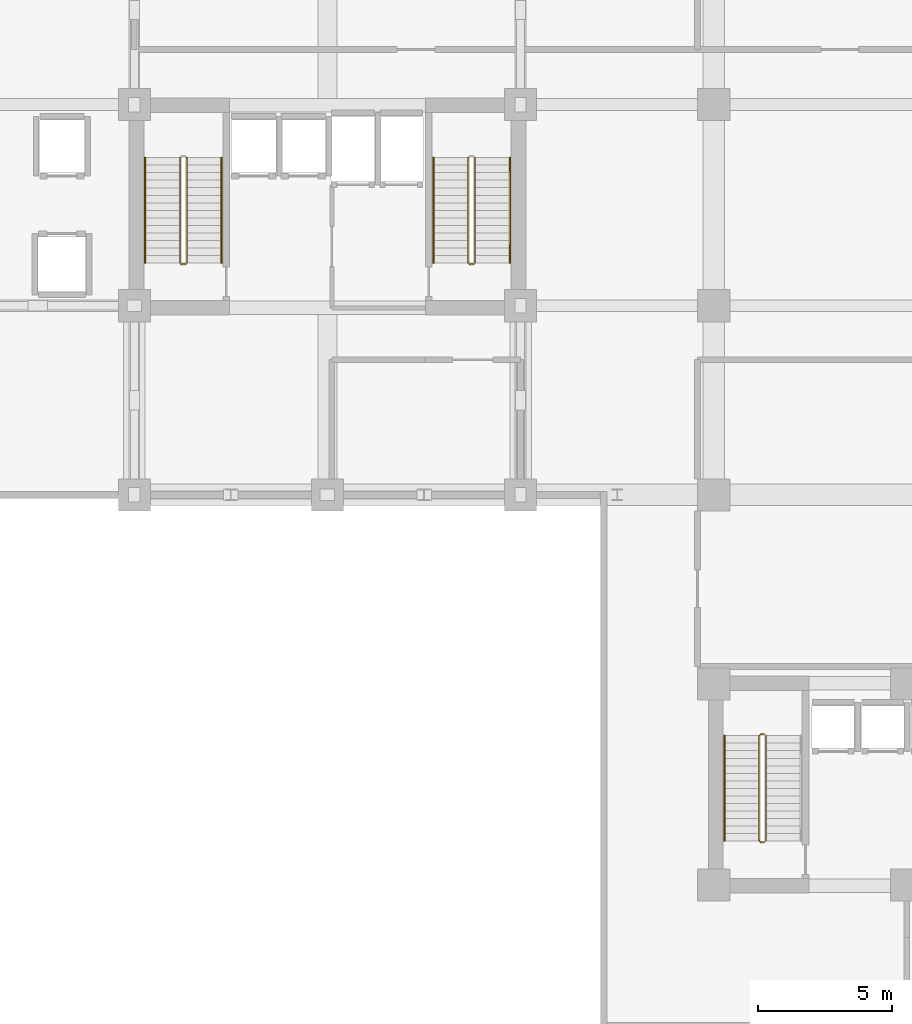
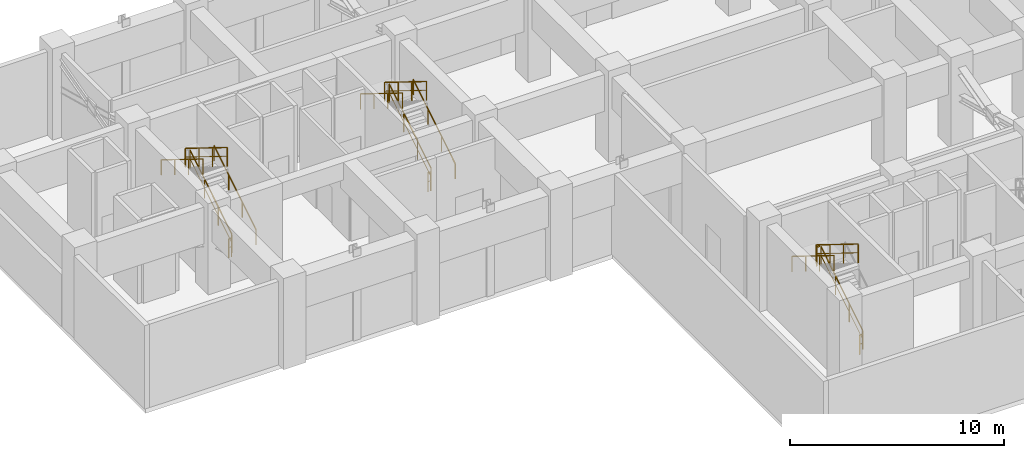
# One storey, part 6 of 8: 15 railings.
"""IFC4 building model written with IfcOpenShell, lengths in metres."""

from ifc_helpers import new_model, si_unit, direction, frame, origin, origin_2d, place, context, subcontext, project, spatial, rectangle, extrude, material, type_object, element, save


model = new_model("IFC4")

# Units and contexts
model_context = context("Model", 3, precision=1e-05, world=origin(), true_north=direction((0.0, 1.0)))
body_context = subcontext(model_context, "Body", "Model", "MODEL_VIEW")
ifc_project = project(units=[si_unit("LENGTHUNIT", "METRE"), si_unit("AREAUNIT", "SQUARE_METRE"), si_unit("VOLUMEUNIT", "CUBIC_METRE"), si_unit("PLANEANGLEUNIT", "RADIAN"), si_unit("MASSUNIT", "GRAM", prefix="KILO")], contexts=[model_context])

# Site, building, storey
site_placement = place(None, origin())
site = spatial("IfcSite", under=ifc_project, at=site_placement, CompositionType="ELEMENT")
building_placement = place(site_placement, origin())
building = spatial("IfcBuilding", under=site, at=building_placement, Name="Kaliganga Portal Commons", CompositionType="ELEMENT")
storey_placement = place(building_placement, frame((0.0, 0.0, 130.39990234375)))
storey = spatial("IfcBuildingStorey", under=building, at=storey_placement, Name="L33", CompositionType="ELEMENT", Elevation=130.39990234375)

# Railings
ifc_material_1 = material(Name="Galvanized Painted Steel Balustrade", Category="steel")
railing_type_1 = type_object("IfcRailingType", Name="RLG-STAIR-GRD", PredefinedType="GUARDRAIL", material=ifc_material_1)
railing_1_placement = place(storey_placement, frame((16.35009765625, 30.25, 0.17333984375)))
element("IfcRailing", 1, at=railing_1_placement, inside=storey, type_object=railing_type_1, Name="L33 ST-A1 stair guard 1", PredefinedType="GUARDRAIL", context=body_context, shape_type="SweptSolid", body=[
    extrude(rectangle(XDim=0.048095703125, YDim=0.048095703125, at=origin_2d()), frame((0.0, 0.0, 1.07177734375), z_axis=(0.0, 0.850251603719, 0.526376491091), x_axis=(-1.0, 0.0, 0.0)), (0.0, 0.0, 1.0), 4.6103515625),
    extrude(rectangle(XDim=0.028076171875, YDim=0.028076171875, at=origin_2d()), frame((0.0, 0.0, 0.572021484375), z_axis=(0.0, 0.850251603719, 0.526376491091), x_axis=(-1.0, 0.0, 0.0)), (0.0, 0.0, 1.0), 4.6103515625),
    extrude(rectangle(XDim=0.0419921875, YDim=0.0419921875, at=origin_2d()), origin(), (0.0, 0.0, 1.0), 1.052001953125),
    extrude(rectangle(XDim=0.0419921875, YDim=0.0419921875, at=origin_2d()), frame((0.0, 1.275390625, 0.78955078125)), (0.0, 0.0, 1.0), 1.052001953125),
    extrude(rectangle(XDim=0.0419921875, YDim=0.0419921875, at=origin_2d()), frame((0.0, 2.55078125, 1.5791015625)), (0.0, 0.0, 1.0), 1.052001953125),
    extrude(rectangle(XDim=0.0419921875, YDim=0.0419921875, at=origin_2d()), frame((0.0, 3.919921875, 2.4267578125)), (0.0, 0.0, 1.0), 1.052001953125),
])
railing_2_placement = place(storey_placement, frame((16.10009765625, 34.169921875, 2.7734375)))
element("IfcRailing", 2, at=railing_2_placement, inside=storey, type_object=railing_type_1, Name="L33 ST-A1 stair guard 3", PredefinedType="GUARDRAIL", context=body_context, shape_type="SweptSolid", body=[
    extrude(rectangle(XDim=0.048095703125, YDim=0.048095703125, at=origin_2d()), frame((0.0, 0.0, 1.07177734375), z_axis=(0.0, -0.850251603719, 0.526376491091), x_axis=(1.0, 0.0, 0.0)), (0.0, 0.0, 1.0), 4.6103515625),
    extrude(rectangle(XDim=0.028076171875, YDim=0.028076171875, at=origin_2d()), frame((0.0, 0.0, 0.572021484375), z_axis=(0.0, -0.850251603719, 0.526376491091), x_axis=(1.0, 0.0, 0.0)), (0.0, 0.0, 1.0), 4.6103515625),
    extrude(rectangle(XDim=0.0419921875, YDim=0.0419921875, at=origin_2d()), origin(), (0.0, 0.0, 1.0), 1.052001953125),
    extrude(rectangle(XDim=0.0419921875, YDim=0.0419921875, at=origin_2d()), frame((0.0, -1.275390625, 0.78955078125)), (0.0, 0.0, 1.0), 1.052001953125),
    extrude(rectangle(XDim=0.0419921875, YDim=0.0419921875, at=origin_2d()), frame((0.0, -2.55078125, 1.5791015625)), (0.0, 0.0, 1.0), 1.052001953125),
    extrude(rectangle(XDim=0.0419921875, YDim=0.0419921875, at=origin_2d()), frame((0.0, -3.919921875, 2.4267578125)), (0.0, 0.0, 1.0), 1.052001953125),
])
railing_3_placement = place(storey_placement, frame((16.300048828125, 30.199951171875, 0.0)))
element("IfcRailing", 3, at=railing_3_placement, inside=storey, type_object=railing_type_1, Name="L33 ST-A1 stair guard 4", PredefinedType="GUARDRAIL", context=body_context, shape_type="SweptSolid", body=[
    extrude(rectangle(XDim=0.048095703125, YDim=0.048095703125, at=origin_2d()), frame((0.0, 0.0, 1.076171875), z_axis=(-1.0, 0.0, 0.0), x_axis=(0.0, -1.0, 0.0)), (0.0, 0.0, 1.0), 0.150146484375),
    extrude(rectangle(XDim=0.028076171875, YDim=0.028076171875, at=origin_2d()), frame((0.0, 0.0, 0.572021484375), z_axis=(-1.0, 0.0, 0.0), x_axis=(0.0, -1.0, 0.0)), (0.0, 0.0, 1.0), 0.150146484375),
    extrude(rectangle(XDim=0.0419921875, YDim=0.0419921875, at=origin_2d()), origin(), (0.0, 0.0, 1.0), 1.052001953125),
    extrude(rectangle(XDim=0.0419921875, YDim=0.0419921875, at=origin_2d()), frame((-0.150146484375, 0.0, 0.0)), (0.0, 0.0, 1.0), 1.052001953125),
])
railing_4_placement = place(storey_placement, frame((27.10009765625, 30.25, 0.17333984375)))
element("IfcRailing", 4, at=railing_4_placement, inside=storey, type_object=railing_type_1, Name="L33 ST-A2 stair guard 1", PredefinedType="GUARDRAIL", context=body_context, shape_type="SweptSolid", body=[
    extrude(rectangle(XDim=0.048095703125, YDim=0.048095703125, at=origin_2d()), frame((0.0, 0.0, 1.07177734375), z_axis=(0.0, 0.850251603719, 0.526376491091), x_axis=(-1.0, 0.0, 0.0)), (0.0, 0.0, 1.0), 4.6103515625),
    extrude(rectangle(XDim=0.028076171875, YDim=0.028076171875, at=origin_2d()), frame((0.0, 0.0, 0.572021484375), z_axis=(0.0, 0.850251603719, 0.526376491091), x_axis=(-1.0, 0.0, 0.0)), (0.0, 0.0, 1.0), 4.6103515625),
    extrude(rectangle(XDim=0.0419921875, YDim=0.0419921875, at=origin_2d()), origin(), (0.0, 0.0, 1.0), 1.052001953125),
    extrude(rectangle(XDim=0.0419921875, YDim=0.0419921875, at=origin_2d()), frame((0.0, 1.275390625, 0.78955078125)), (0.0, 0.0, 1.0), 1.052001953125),
    extrude(rectangle(XDim=0.0419921875, YDim=0.0419921875, at=origin_2d()), frame((0.0, 2.55078125, 1.5791015625)), (0.0, 0.0, 1.0), 1.052001953125),
    extrude(rectangle(XDim=0.0419921875, YDim=0.0419921875, at=origin_2d()), frame((0.0, 3.919921875, 2.4267578125)), (0.0, 0.0, 1.0), 1.052001953125),
])
railing_5_placement = place(storey_placement, frame((26.85009765625, 34.169921875, 2.7734375)))
element("IfcRailing", 5, at=railing_5_placement, inside=storey, type_object=railing_type_1, Name="L33 ST-A2 stair guard 3", PredefinedType="GUARDRAIL", context=body_context, shape_type="SweptSolid", body=[
    extrude(rectangle(XDim=0.048095703125, YDim=0.048095703125, at=origin_2d()), frame((0.0, 0.0, 1.07177734375), z_axis=(0.0, -0.850251603719, 0.526376491091), x_axis=(1.0, 0.0, 0.0)), (0.0, 0.0, 1.0), 4.6103515625),
    extrude(rectangle(XDim=0.028076171875, YDim=0.028076171875, at=origin_2d()), frame((0.0, 0.0, 0.572021484375), z_axis=(0.0, -0.850251603719, 0.526376491091), x_axis=(1.0, 0.0, 0.0)), (0.0, 0.0, 1.0), 4.6103515625),
    extrude(rectangle(XDim=0.0419921875, YDim=0.0419921875, at=origin_2d()), origin(), (0.0, 0.0, 1.0), 1.052001953125),
    extrude(rectangle(XDim=0.0419921875, YDim=0.0419921875, at=origin_2d()), frame((0.0, -1.275390625, 0.78955078125)), (0.0, 0.0, 1.0), 1.052001953125),
    extrude(rectangle(XDim=0.0419921875, YDim=0.0419921875, at=origin_2d()), frame((0.0, -2.55078125, 1.5791015625)), (0.0, 0.0, 1.0), 1.052001953125),
    extrude(rectangle(XDim=0.0419921875, YDim=0.0419921875, at=origin_2d()), frame((0.0, -3.919921875, 2.4267578125)), (0.0, 0.0, 1.0), 1.052001953125),
])
railing_6_placement = place(storey_placement, frame((27.050048828125, 30.199951171875, 0.0)))
element("IfcRailing", 6, at=railing_6_placement, inside=storey, type_object=railing_type_1, Name="L33 ST-A2 stair guard 4", PredefinedType="GUARDRAIL", context=body_context, shape_type="SweptSolid", body=[
    extrude(rectangle(XDim=0.048095703125, YDim=0.048095703125, at=origin_2d()), frame((0.0, 0.0, 1.076171875), z_axis=(-1.0, 0.0, 0.0), x_axis=(0.0, -1.0, 0.0)), (0.0, 0.0, 1.0), 0.150146484375),
    extrude(rectangle(XDim=0.028076171875, YDim=0.028076171875, at=origin_2d()), frame((0.0, 0.0, 0.572021484375), z_axis=(-1.0, 0.0, 0.0), x_axis=(0.0, -1.0, 0.0)), (0.0, 0.0, 1.0), 0.150146484375),
    extrude(rectangle(XDim=0.0419921875, YDim=0.0419921875, at=origin_2d()), origin(), (0.0, 0.0, 1.0), 1.052001953125),
    extrude(rectangle(XDim=0.0419921875, YDim=0.0419921875, at=origin_2d()), frame((-0.150146484375, 0.0, 0.0)), (0.0, 0.0, 1.0), 1.052001953125),
])
railing_7_placement = place(storey_placement, frame((37.949951171875, 8.699951171875, 0.17333984375)))
element("IfcRailing", 7, at=railing_7_placement, inside=storey, type_object=railing_type_1, Name="L33 ST-B1 stair guard 1", PredefinedType="GUARDRAIL", context=body_context, shape_type="SweptSolid", body=[
    extrude(rectangle(XDim=0.048095703125, YDim=0.048095703125, at=origin_2d()), frame((0.0, 0.0, 1.07177734375), z_axis=(0.0, 0.850266275192, 0.526352791643), x_axis=(-1.0, 0.0, 0.0)), (0.0, 0.0, 1.0), 4.610595703125),
    extrude(rectangle(XDim=0.028076171875, YDim=0.028076171875, at=origin_2d()), frame((0.0, 0.0, 0.572021484375), z_axis=(0.0, 0.850266275192, 0.526352791643), x_axis=(-1.0, 0.0, 0.0)), (0.0, 0.0, 1.0), 4.610595703125),
    extrude(rectangle(XDim=0.0419921875, YDim=0.0419921875, at=origin_2d()), origin(), (0.0, 0.0, 1.0), 1.052001953125),
    extrude(rectangle(XDim=0.0419921875, YDim=0.0419921875, at=origin_2d()), frame((0.0, 1.275390625, 0.78955078125)), (0.0, 0.0, 1.0), 1.052001953125),
    extrude(rectangle(XDim=0.0419921875, YDim=0.0419921875, at=origin_2d()), frame((0.0, 2.55078125, 1.5791015625)), (0.0, 0.0, 1.0), 1.052001953125),
    extrude(rectangle(XDim=0.0419921875, YDim=0.0419921875, at=origin_2d()), frame((0.0, 3.920166015625, 2.4267578125)), (0.0, 0.0, 1.0), 1.052001953125),
])
railing_8_placement = place(storey_placement, frame((37.89990234375, 12.669921875, 2.60009765625)))
element("IfcRailing", 8, at=railing_8_placement, inside=storey, type_object=railing_type_1, Name="L33 ST-B1 stair guard 2", PredefinedType="GUARDRAIL", context=body_context, shape_type="SweptSolid", body=[
    extrude(rectangle(XDim=0.048095703125, YDim=0.048095703125, at=origin_2d()), frame((0.0, 0.0, 1.076171875), z_axis=(-1.0, 0.0, 0.0), x_axis=(0.0, -1.0, 0.0)), (0.0, 0.0, 1.0), 0.14990234375),
    extrude(rectangle(XDim=0.028076171875, YDim=0.028076171875, at=origin_2d()), frame((0.0, 0.0, 0.572021484375), z_axis=(-1.0, 0.0, 0.0), x_axis=(0.0, -1.0, 0.0)), (0.0, 0.0, 1.0), 0.14990234375),
    extrude(rectangle(XDim=0.0419921875, YDim=0.0419921875, at=origin_2d()), frame((-0.14990234375, 0.0, 0.0)), (0.0, 0.0, 1.0), 1.052001953125),
])
railing_9_placement = place(storey_placement, frame((37.699951171875, 12.6201171875, 2.7734375)))
element("IfcRailing", 9, at=railing_9_placement, inside=storey, type_object=railing_type_1, Name="L33 ST-B1 stair guard 3", PredefinedType="GUARDRAIL", context=body_context, shape_type="SweptSolid", body=[
    extrude(rectangle(XDim=0.048095703125, YDim=0.048095703125, at=origin_2d()), frame((0.0, 0.0, 1.07177734375), z_axis=(0.0, -0.850266275192, 0.526352791643), x_axis=(1.0, 0.0, 0.0)), (0.0, 0.0, 1.0), 4.610595703125),
    extrude(rectangle(XDim=0.028076171875, YDim=0.028076171875, at=origin_2d()), frame((0.0, 0.0, 0.572021484375), z_axis=(0.0, -0.850266275192, 0.526352791643), x_axis=(1.0, 0.0, 0.0)), (0.0, 0.0, 1.0), 4.610595703125),
    extrude(rectangle(XDim=0.0419921875, YDim=0.0419921875, at=origin_2d()), origin(), (0.0, 0.0, 1.0), 1.052001953125),
    extrude(rectangle(XDim=0.0419921875, YDim=0.0419921875, at=origin_2d()), frame((0.0, -1.275390625, 0.78955078125)), (0.0, 0.0, 1.0), 1.052001953125),
    extrude(rectangle(XDim=0.0419921875, YDim=0.0419921875, at=origin_2d()), frame((0.0, -2.55078125, 1.5791015625)), (0.0, 0.0, 1.0), 1.052001953125),
    extrude(rectangle(XDim=0.0419921875, YDim=0.0419921875, at=origin_2d()), frame((0.0, -3.920166015625, 2.4267578125)), (0.0, 0.0, 1.0), 1.052001953125),
])
railing_10_placement = place(storey_placement, frame((37.89990234375, 8.64990234375, 0.0)))
element("IfcRailing", 10, at=railing_10_placement, inside=storey, type_object=railing_type_1, Name="L33 ST-B1 stair guard 4", PredefinedType="GUARDRAIL", context=body_context, shape_type="SweptSolid", body=[
    extrude(rectangle(XDim=0.048095703125, YDim=0.048095703125, at=origin_2d()), frame((0.0, 0.0, 1.076171875), z_axis=(-1.0, 0.0, 0.0), x_axis=(0.0, -1.0, 0.0)), (0.0, 0.0, 1.0), 0.14990234375),
    extrude(rectangle(XDim=0.028076171875, YDim=0.028076171875, at=origin_2d()), frame((0.0, 0.0, 0.572021484375), z_axis=(-1.0, 0.0, 0.0), x_axis=(0.0, -1.0, 0.0)), (0.0, 0.0, 1.0), 0.14990234375),
    extrude(rectangle(XDim=0.0419921875, YDim=0.0419921875, at=origin_2d()), frame((-0.14990234375, 0.0, 0.0)), (0.0, 0.0, 1.0), 1.052001953125),
])
ifc_material_2 = material(Name="Brushed Stainless Steel 316", Category="steel")
railing_type_2 = type_object("IfcRailingType", Name="RLG-STAIR-HR", PredefinedType="HANDRAIL", material=ifc_material_2)
railing_11_placement = place(storey_placement, frame((17.64990234375, 30.25, 0.17333984375)))
element("IfcRailing", 11, at=railing_11_placement, inside=storey, type_object=railing_type_2, Name="L33 ST-A1 stair handrail 1", PredefinedType="HANDRAIL", context=body_context, shape_type="SweptSolid", body=[
    extrude(rectangle(XDim=0.048095703125, YDim=0.048095703125, at=origin_2d()), frame((0.0, 0.0, 0.87158203125), z_axis=(0.0, 0.850251603719, 0.526376491091), x_axis=(-1.0, 0.0, 0.0)), (0.0, 0.0, 1.0), 4.6103515625),
    extrude(rectangle(XDim=0.0419921875, YDim=0.0419921875, at=origin_2d()), origin(), (0.0, 0.0, 1.0), 0.851806640625),
    extrude(rectangle(XDim=0.0419921875, YDim=0.0419921875, at=origin_2d()), frame((0.0, 1.275390625, 0.78955078125)), (0.0, 0.0, 1.0), 0.851806640625),
    extrude(rectangle(XDim=0.0419921875, YDim=0.0419921875, at=origin_2d()), frame((0.0, 2.55078125, 1.5791015625)), (0.0, 0.0, 1.0), 0.851806640625),
    extrude(rectangle(XDim=0.0419921875, YDim=0.0419921875, at=origin_2d()), frame((0.0, 3.919921875, 2.4267578125)), (0.0, 0.0, 1.0), 0.851806640625),
])
railing_12_placement = place(storey_placement, frame((14.800048828125, 34.169921875, 2.7734375)))
element("IfcRailing", 12, at=railing_12_placement, inside=storey, type_object=railing_type_2, Name="L33 ST-A1 stair handrail 2", PredefinedType="HANDRAIL", context=body_context, shape_type="SweptSolid", body=[
    extrude(rectangle(XDim=0.048095703125, YDim=0.048095703125, at=origin_2d()), frame((0.0, 0.0, 0.87158203125), z_axis=(0.0, -0.850251603719, 0.526376491091), x_axis=(1.0, 0.0, 0.0)), (0.0, 0.0, 1.0), 4.6103515625),
    extrude(rectangle(XDim=0.0419921875, YDim=0.0419921875, at=origin_2d()), origin(), (0.0, 0.0, 1.0), 0.851806640625),
    extrude(rectangle(XDim=0.0419921875, YDim=0.0419921875, at=origin_2d()), frame((0.0, -1.275390625, 0.78955078125)), (0.0, 0.0, 1.0), 0.851806640625),
    extrude(rectangle(XDim=0.0419921875, YDim=0.0419921875, at=origin_2d()), frame((0.0, -2.55078125, 1.5791015625)), (0.0, 0.0, 1.0), 0.851806640625),
    extrude(rectangle(XDim=0.0419921875, YDim=0.0419921875, at=origin_2d()), frame((0.0, -3.919921875, 2.4267578125)), (0.0, 0.0, 1.0), 0.851806640625),
])
railing_13_placement = place(storey_placement, frame((28.39990234375, 30.25, 0.17333984375)))
element("IfcRailing", 13, at=railing_13_placement, inside=storey, type_object=railing_type_2, Name="L33 ST-A2 stair handrail 1", PredefinedType="HANDRAIL", context=body_context, shape_type="SweptSolid", body=[
    extrude(rectangle(XDim=0.048095703125, YDim=0.048095703125, at=origin_2d()), frame((0.0, 0.0, 0.87158203125), z_axis=(0.0, 0.850251603719, 0.526376491091), x_axis=(-1.0, 0.0, 0.0)), (0.0, 0.0, 1.0), 4.6103515625),
    extrude(rectangle(XDim=0.0419921875, YDim=0.0419921875, at=origin_2d()), origin(), (0.0, 0.0, 1.0), 0.851806640625),
    extrude(rectangle(XDim=0.0419921875, YDim=0.0419921875, at=origin_2d()), frame((0.0, 1.275390625, 0.78955078125)), (0.0, 0.0, 1.0), 0.851806640625),
    extrude(rectangle(XDim=0.0419921875, YDim=0.0419921875, at=origin_2d()), frame((0.0, 2.55078125, 1.5791015625)), (0.0, 0.0, 1.0), 0.851806640625),
    extrude(rectangle(XDim=0.0419921875, YDim=0.0419921875, at=origin_2d()), frame((0.0, 3.919921875, 2.4267578125)), (0.0, 0.0, 1.0), 0.851806640625),
])
railing_14_placement = place(storey_placement, frame((25.550048828125, 34.169921875, 2.7734375)))
element("IfcRailing", 14, at=railing_14_placement, inside=storey, type_object=railing_type_2, Name="L33 ST-A2 stair handrail 2", PredefinedType="HANDRAIL", context=body_context, shape_type="SweptSolid", body=[
    extrude(rectangle(XDim=0.048095703125, YDim=0.048095703125, at=origin_2d()), frame((0.0, 0.0, 0.87158203125), z_axis=(0.0, -0.850251603719, 0.526376491091), x_axis=(1.0, 0.0, 0.0)), (0.0, 0.0, 1.0), 4.6103515625),
    extrude(rectangle(XDim=0.0419921875, YDim=0.0419921875, at=origin_2d()), origin(), (0.0, 0.0, 1.0), 0.851806640625),
    extrude(rectangle(XDim=0.0419921875, YDim=0.0419921875, at=origin_2d()), frame((0.0, -1.275390625, 0.78955078125)), (0.0, 0.0, 1.0), 0.851806640625),
    extrude(rectangle(XDim=0.0419921875, YDim=0.0419921875, at=origin_2d()), frame((0.0, -2.55078125, 1.5791015625)), (0.0, 0.0, 1.0), 0.851806640625),
    extrude(rectangle(XDim=0.0419921875, YDim=0.0419921875, at=origin_2d()), frame((0.0, -3.919921875, 2.4267578125)), (0.0, 0.0, 1.0), 0.851806640625),
])
railing_15_placement = place(storey_placement, frame((36.39990234375, 12.6201171875, 2.7734375)))
element("IfcRailing", 15, at=railing_15_placement, inside=storey, type_object=railing_type_2, Name="L33 ST-B1 stair handrail 2", PredefinedType="HANDRAIL", context=body_context, shape_type="SweptSolid", body=[
    extrude(rectangle(XDim=0.048095703125, YDim=0.048095703125, at=origin_2d()), frame((0.0, 0.0, 0.87158203125), z_axis=(0.0, -0.850266275192, 0.526352791643), x_axis=(1.0, 0.0, 0.0)), (0.0, 0.0, 1.0), 4.610595703125),
    extrude(rectangle(XDim=0.0419921875, YDim=0.0419921875, at=origin_2d()), origin(), (0.0, 0.0, 1.0), 0.851806640625),
    extrude(rectangle(XDim=0.0419921875, YDim=0.0419921875, at=origin_2d()), frame((0.0, -1.275390625, 0.78955078125)), (0.0, 0.0, 1.0), 0.851806640625),
    extrude(rectangle(XDim=0.0419921875, YDim=0.0419921875, at=origin_2d()), frame((0.0, -2.55078125, 1.5791015625)), (0.0, 0.0, 1.0), 0.851806640625),
    extrude(rectangle(XDim=0.0419921875, YDim=0.0419921875, at=origin_2d()), frame((0.0, -3.920166015625, 2.4267578125)), (0.0, 0.0, 1.0), 0.851806640625),
])

save(model, "model.ifc")
